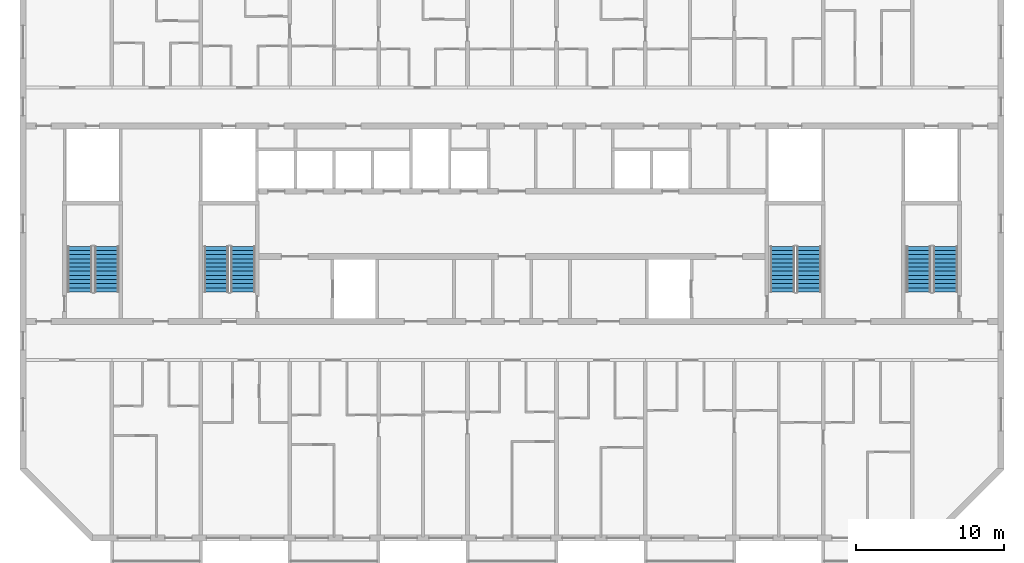
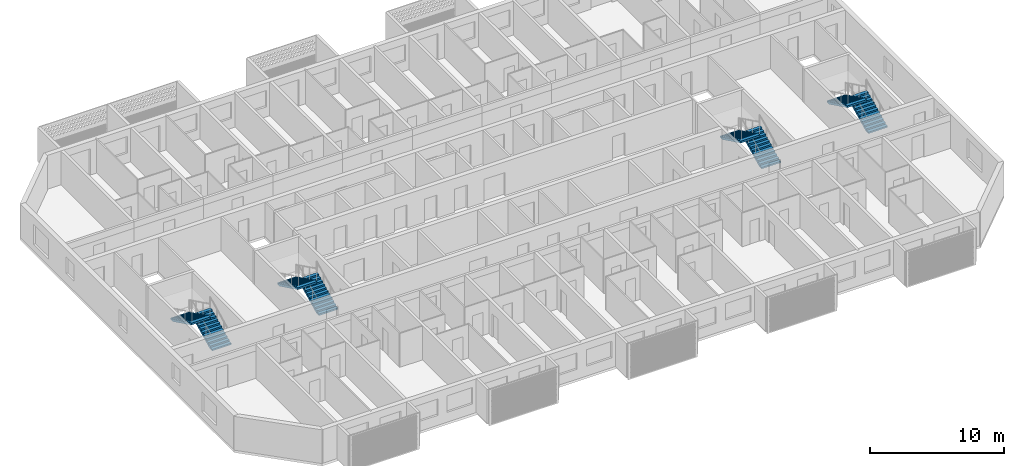
# One storey, part 12 of 27: 8 stair flights, 4 elements without a shape of their own.
"""IFC4 building model written with IfcOpenShell, lengths in metres."""

from ifc_helpers import new_model, si_unit, direction, frame, origin, place, context, subcontext, project, spatial, polyline, outline, extrude, material, layer, layer_set, type_object, element, aggregate, save


model = new_model("IFC4")

# Units and contexts
model_context = context("Model", 3, precision=1e-05, world=origin(), true_north=direction((0.0, 1.0)))
body_context = subcontext(model_context, "Body", "Model", "MODEL_VIEW")
ifc_project = project(units=[si_unit("LENGTHUNIT", "METRE"), si_unit("AREAUNIT", "SQUARE_METRE"), si_unit("VOLUMEUNIT", "CUBIC_METRE"), si_unit("PLANEANGLEUNIT", "RADIAN"), si_unit("MASSUNIT", "GRAM", prefix="KILO")], contexts=[model_context])

# Site, building, storey
site_placement = place(None, origin())
site = spatial("IfcSite", under=ifc_project, at=site_placement, CompositionType="ELEMENT")
building_placement = place(site_placement, origin())
building = spatial("IfcBuilding", under=site, at=building_placement, Name="Poui Terraces", CompositionType="ELEMENT")
storey_placement = place(building_placement, frame((0.0, 0.0, 195.0)))
storey = spatial("IfcBuildingStorey", under=building, at=storey_placement, Name="L54", CompositionType="ELEMENT", Elevation=195.0)

# Stair, stair flights
ifc_material = material(Name="Concrete 50 MPa", Category="concrete")
stair_type = type_object("IfcStairType", Name="EXIT STAIR 1650 50 MPA", PredefinedType="HALF_TURN_STAIR", material=ifc_material)
stair_1_placement = place(storey_placement, origin())
stair_1 = element("IfcStair", 1, at=stair_1_placement, inside=storey, type_object=stair_type, Name="L54 CORE STAIR EAST", PredefinedType="HALF_TURN_STAIR")
ifc_layer = layer(ifc_material, 0.14990234375)
ifc_layer_set = layer_set([ifc_layer], Name="Concrete 50 MPa")
stair_flight_type = type_object("IfcStairFlightType", Name="STAIR FLIGHT 12 RISERS 138 RISE 50 MPA", PredefinedType="STRAIGHT", material=ifc_layer_set)
stair_flight_1_placement = place(storey_placement, frame((71.050048828125, 16.60009765625, 0.0), z_axis=(0.0, 0.0, 1.0), x_axis=(0.0, 1.0, 0.0)))
stair_flight_1 = element("IfcStairFlight", 2, at=stair_flight_1_placement, type_object=stair_flight_type, Name="ST-CE flight 1", NumberOfRisers=12, NumberOfTreads=11, PredefinedType="STRAIGHT", RiserHeight=0.1375, TreadLength=0.28, context=body_context, shape_type="SweptSolid", body=[
    extrude(outline(polyline([(0.0, 0.0), (0.0, 0.137451171875), (0.280029296875, 0.137451171875), (0.280029296875, 0.27490234375), (0.56005859375, 0.27490234375), (0.56005859375, 0.41259765625), (0.840087890625, 0.41259765625), (0.840087890625, 0.550048828125), (1.1201171875, 0.550048828125), (1.1201171875, 0.6875), (1.39990234375, 0.6875), (1.39990234375, 0.824951171875), (1.679931640625, 0.824951171875), (1.679931640625, 0.96240234375), (1.9599609375, 0.96240234375), (1.9599609375, 1.10009765625), (2.239990234375, 1.10009765625), (2.239990234375, 1.237548828125), (2.52001953125, 1.237548828125), (2.52001953125, 1.375), (2.800048828125, 1.375), (2.800048828125, 1.512451171875), (3.080078125, 1.512451171875), (3.080078125, 1.64990234375), (3.080078125, 1.345458984375), (0.340087890625, 0.0), (0.0, 0.0)])), frame((0.0, 0.824951171875, 0.0), z_axis=(0.0, -1.0, 0.0), x_axis=(1.0, 0.0, 0.0)), (0.0, 0.0, 1.0), 1.64990234375),
])
stair_flight_2_placement = place(storey_placement, frame((69.25, 19.679931640625, 1.64990234375), z_axis=(0.0, 0.0, 1.0), x_axis=(0.0, -1.0, 0.0)))
stair_flight_2 = element("IfcStairFlight", 3, at=stair_flight_2_placement, type_object=stair_flight_type, Name="ST-CE flight 2", NumberOfRisers=12, NumberOfTreads=11, PredefinedType="STRAIGHT", RiserHeight=0.1375, TreadLength=0.28, context=body_context, shape_type="SweptSolid", body=[
    extrude(outline(polyline([(0.0, 0.0), (0.0, 0.137451171875), (0.280029296875, 0.137451171875), (0.280029296875, 0.27490234375), (0.56005859375, 0.27490234375), (0.56005859375, 0.41259765625), (0.840087890625, 0.41259765625), (0.840087890625, 0.550048828125), (1.1201171875, 0.550048828125), (1.1201171875, 0.6875), (1.39990234375, 0.6875), (1.39990234375, 0.824951171875), (1.679931640625, 0.824951171875), (1.679931640625, 0.96240234375), (1.9599609375, 0.96240234375), (1.9599609375, 1.10009765625), (2.239990234375, 1.10009765625), (2.239990234375, 1.237548828125), (2.52001953125, 1.237548828125), (2.52001953125, 1.375), (2.800048828125, 1.375), (2.800048828125, 1.512451171875), (3.080078125, 1.512451171875), (3.080078125, 1.64990234375), (3.080078125, 1.345458984375), (0.340087890625, 0.0), (0.0, 0.0)])), frame((0.0, 0.824951171875, 0.0), z_axis=(0.0, -1.0, 0.0), x_axis=(1.0, 0.0, 0.0)), (0.0, 0.0, 1.0), 1.64990234375),
])
aggregate(stair_1, [stair_flight_1, stair_flight_2])

stair_2_placement = place(storey_placement, origin())
stair_2 = element("IfcStair", 4, at=stair_2_placement, inside=storey, type_object=stair_type, Name="L54 CORE STAIR WEST", PredefinedType="HALF_TURN_STAIR")
stair_flight_3_placement = place(storey_placement, frame((32.85009765625, 16.60009765625, 0.0), z_axis=(0.0, 0.0, 1.0), x_axis=(0.0, 1.0, 0.0)))
stair_flight_3 = element("IfcStairFlight", 5, at=stair_flight_3_placement, type_object=stair_flight_type, Name="ST-CW flight 1", NumberOfRisers=12, NumberOfTreads=11, PredefinedType="STRAIGHT", RiserHeight=0.1375, TreadLength=0.28, context=body_context, shape_type="SweptSolid", body=[
    extrude(outline(polyline([(0.0, 0.0), (0.0, 0.137451171875), (0.280029296875, 0.137451171875), (0.280029296875, 0.27490234375), (0.56005859375, 0.27490234375), (0.56005859375, 0.41259765625), (0.840087890625, 0.41259765625), (0.840087890625, 0.550048828125), (1.1201171875, 0.550048828125), (1.1201171875, 0.6875), (1.39990234375, 0.6875), (1.39990234375, 0.824951171875), (1.679931640625, 0.824951171875), (1.679931640625, 0.96240234375), (1.9599609375, 0.96240234375), (1.9599609375, 1.10009765625), (2.239990234375, 1.10009765625), (2.239990234375, 1.237548828125), (2.52001953125, 1.237548828125), (2.52001953125, 1.375), (2.800048828125, 1.375), (2.800048828125, 1.512451171875), (3.080078125, 1.512451171875), (3.080078125, 1.64990234375), (3.080078125, 1.345458984375), (0.340087890625, 0.0), (0.0, 0.0)])), frame((0.0, 0.824951171875, 0.0), z_axis=(0.0, -1.0, 0.0), x_axis=(1.0, 0.0, 0.0)), (0.0, 0.0, 1.0), 1.64990234375),
])
stair_flight_4_placement = place(storey_placement, frame((31.050048828125, 19.679931640625, 1.64990234375), z_axis=(0.0, 0.0, 1.0), x_axis=(0.0, -1.0, 0.0)))
stair_flight_4 = element("IfcStairFlight", 6, at=stair_flight_4_placement, type_object=stair_flight_type, Name="ST-CW flight 2", NumberOfRisers=12, NumberOfTreads=11, PredefinedType="STRAIGHT", RiserHeight=0.1375, TreadLength=0.28, context=body_context, shape_type="SweptSolid", body=[
    extrude(outline(polyline([(0.0, 0.0), (0.0, 0.137451171875), (0.280029296875, 0.137451171875), (0.280029296875, 0.27490234375), (0.56005859375, 0.27490234375), (0.56005859375, 0.41259765625), (0.840087890625, 0.41259765625), (0.840087890625, 0.550048828125), (1.1201171875, 0.550048828125), (1.1201171875, 0.6875), (1.39990234375, 0.6875), (1.39990234375, 0.824951171875), (1.679931640625, 0.824951171875), (1.679931640625, 0.96240234375), (1.9599609375, 0.96240234375), (1.9599609375, 1.10009765625), (2.239990234375, 1.10009765625), (2.239990234375, 1.237548828125), (2.52001953125, 1.237548828125), (2.52001953125, 1.375), (2.800048828125, 1.375), (2.800048828125, 1.512451171875), (3.080078125, 1.512451171875), (3.080078125, 1.64990234375), (3.080078125, 1.345458984375), (0.340087890625, 0.0), (0.0, 0.0)])), frame((0.0, 0.824951171875, 0.0), z_axis=(0.0, -1.0, 0.0), x_axis=(1.0, 0.0, 0.0)), (0.0, 0.0, 1.0), 1.64990234375),
])
aggregate(stair_2, [stair_flight_3, stair_flight_4])

stair_3_placement = place(storey_placement, origin())
stair_3 = element("IfcStair", 7, at=stair_3_placement, inside=storey, type_object=stair_type, Name="L54 TIP STAIR EAST", PredefinedType="HALF_TURN_STAIR")
stair_flight_5_placement = place(storey_placement, frame((80.25, 16.60009765625, 0.0), z_axis=(0.0, 0.0, 1.0), x_axis=(0.0, 1.0, 0.0)))
stair_flight_5 = element("IfcStairFlight", 8, at=stair_flight_5_placement, type_object=stair_flight_type, Name="ST-E flight 1", NumberOfRisers=12, NumberOfTreads=11, PredefinedType="STRAIGHT", RiserHeight=0.1375, TreadLength=0.28, context=body_context, shape_type="SweptSolid", body=[
    extrude(outline(polyline([(0.0, 0.0), (0.0, 0.137451171875), (0.280029296875, 0.137451171875), (0.280029296875, 0.27490234375), (0.56005859375, 0.27490234375), (0.56005859375, 0.41259765625), (0.840087890625, 0.41259765625), (0.840087890625, 0.550048828125), (1.1201171875, 0.550048828125), (1.1201171875, 0.6875), (1.39990234375, 0.6875), (1.39990234375, 0.824951171875), (1.679931640625, 0.824951171875), (1.679931640625, 0.96240234375), (1.9599609375, 0.96240234375), (1.9599609375, 1.10009765625), (2.239990234375, 1.10009765625), (2.239990234375, 1.237548828125), (2.52001953125, 1.237548828125), (2.52001953125, 1.375), (2.800048828125, 1.375), (2.800048828125, 1.512451171875), (3.080078125, 1.512451171875), (3.080078125, 1.64990234375), (3.080078125, 1.345458984375), (0.340087890625, 0.0), (0.0, 0.0)])), frame((0.0, 0.824951171875, 0.0), z_axis=(0.0, -1.0, 0.0), x_axis=(1.0, 0.0, 0.0)), (0.0, 0.0, 1.0), 1.64990234375),
])
stair_flight_6_placement = place(storey_placement, frame((78.449951171875, 19.679931640625, 1.64990234375), z_axis=(0.0, 0.0, 1.0), x_axis=(0.0, -1.0, 0.0)))
stair_flight_6 = element("IfcStairFlight", 9, at=stair_flight_6_placement, type_object=stair_flight_type, Name="ST-E flight 2", NumberOfRisers=12, NumberOfTreads=11, PredefinedType="STRAIGHT", RiserHeight=0.1375, TreadLength=0.28, context=body_context, shape_type="SweptSolid", body=[
    extrude(outline(polyline([(0.0, 0.0), (0.0, 0.137451171875), (0.280029296875, 0.137451171875), (0.280029296875, 0.27490234375), (0.56005859375, 0.27490234375), (0.56005859375, 0.41259765625), (0.840087890625, 0.41259765625), (0.840087890625, 0.550048828125), (1.1201171875, 0.550048828125), (1.1201171875, 0.6875), (1.39990234375, 0.6875), (1.39990234375, 0.824951171875), (1.679931640625, 0.824951171875), (1.679931640625, 0.96240234375), (1.9599609375, 0.96240234375), (1.9599609375, 1.10009765625), (2.239990234375, 1.10009765625), (2.239990234375, 1.237548828125), (2.52001953125, 1.237548828125), (2.52001953125, 1.375), (2.800048828125, 1.375), (2.800048828125, 1.512451171875), (3.080078125, 1.512451171875), (3.080078125, 1.64990234375), (3.080078125, 1.345458984375), (0.340087890625, 0.0), (0.0, 0.0)])), frame((0.0, 0.824951171875, 0.0), z_axis=(0.0, -1.0, 0.0), x_axis=(1.0, 0.0, 0.0)), (0.0, 0.0, 1.0), 1.64990234375),
])
aggregate(stair_3, [stair_flight_5, stair_flight_6])

stair_4_placement = place(storey_placement, origin())
stair_4 = element("IfcStair", 10, at=stair_4_placement, inside=storey, type_object=stair_type, Name="L54 TIP STAIR WEST", PredefinedType="HALF_TURN_STAIR")
stair_flight_7_placement = place(storey_placement, frame((23.64990234375, 16.60009765625, 0.0), z_axis=(0.0, 0.0, 1.0), x_axis=(0.0, 1.0, 0.0)))
stair_flight_7 = element("IfcStairFlight", 11, at=stair_flight_7_placement, type_object=stair_flight_type, Name="ST-W flight 1", NumberOfRisers=12, NumberOfTreads=11, PredefinedType="STRAIGHT", RiserHeight=0.1375, TreadLength=0.28, context=body_context, shape_type="SweptSolid", body=[
    extrude(outline(polyline([(0.0, 0.0), (0.0, 0.137451171875), (0.280029296875, 0.137451171875), (0.280029296875, 0.27490234375), (0.56005859375, 0.27490234375), (0.56005859375, 0.41259765625), (0.840087890625, 0.41259765625), (0.840087890625, 0.550048828125), (1.1201171875, 0.550048828125), (1.1201171875, 0.6875), (1.39990234375, 0.6875), (1.39990234375, 0.824951171875), (1.679931640625, 0.824951171875), (1.679931640625, 0.96240234375), (1.9599609375, 0.96240234375), (1.9599609375, 1.10009765625), (2.239990234375, 1.10009765625), (2.239990234375, 1.237548828125), (2.52001953125, 1.237548828125), (2.52001953125, 1.375), (2.800048828125, 1.375), (2.800048828125, 1.512451171875), (3.080078125, 1.512451171875), (3.080078125, 1.64990234375), (3.080078125, 1.345458984375), (0.340087890625, 0.0), (0.0, 0.0)])), frame((0.0, 0.824951171875, 0.0), z_axis=(0.0, -1.0, 0.0), x_axis=(1.0, 0.0, 0.0)), (0.0, 0.0, 1.0), 1.64990234375),
])
stair_flight_8_placement = place(storey_placement, frame((21.85009765625, 19.679931640625, 1.64990234375), z_axis=(0.0, 0.0, 1.0), x_axis=(0.0, -1.0, 0.0)))
stair_flight_8 = element("IfcStairFlight", 12, at=stair_flight_8_placement, type_object=stair_flight_type, Name="ST-W flight 2", NumberOfRisers=12, NumberOfTreads=11, PredefinedType="STRAIGHT", RiserHeight=0.1375, TreadLength=0.28, context=body_context, shape_type="SweptSolid", body=[
    extrude(outline(polyline([(0.0, 0.0), (0.0, 0.137451171875), (0.280029296875, 0.137451171875), (0.280029296875, 0.27490234375), (0.56005859375, 0.27490234375), (0.56005859375, 0.41259765625), (0.840087890625, 0.41259765625), (0.840087890625, 0.550048828125), (1.1201171875, 0.550048828125), (1.1201171875, 0.6875), (1.39990234375, 0.6875), (1.39990234375, 0.824951171875), (1.679931640625, 0.824951171875), (1.679931640625, 0.96240234375), (1.9599609375, 0.96240234375), (1.9599609375, 1.10009765625), (2.239990234375, 1.10009765625), (2.239990234375, 1.237548828125), (2.52001953125, 1.237548828125), (2.52001953125, 1.375), (2.800048828125, 1.375), (2.800048828125, 1.512451171875), (3.080078125, 1.512451171875), (3.080078125, 1.64990234375), (3.080078125, 1.345458984375), (0.340087890625, 0.0), (0.0, 0.0)])), frame((0.0, 0.824951171875, 0.0), z_axis=(0.0, -1.0, 0.0), x_axis=(1.0, 0.0, 0.0)), (0.0, 0.0, 1.0), 1.64990234375),
])
aggregate(stair_4, [stair_flight_7, stair_flight_8])

save(model, "model.ifc")
